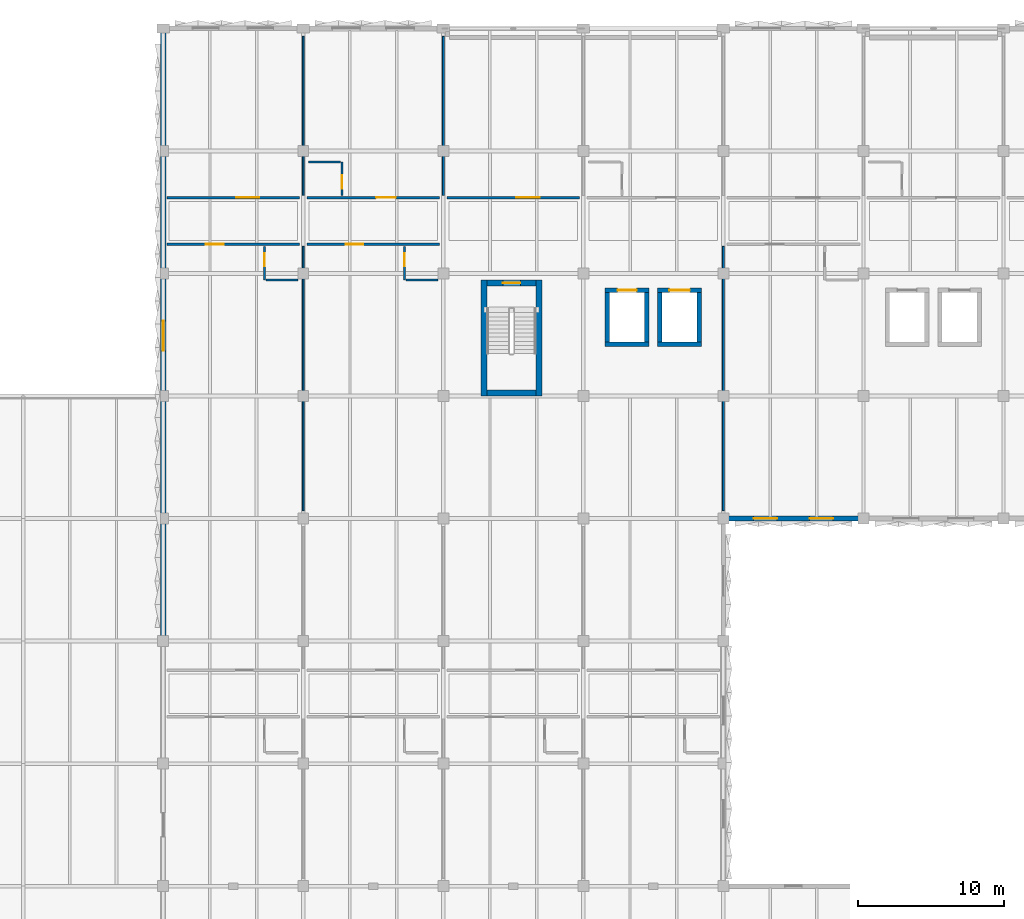
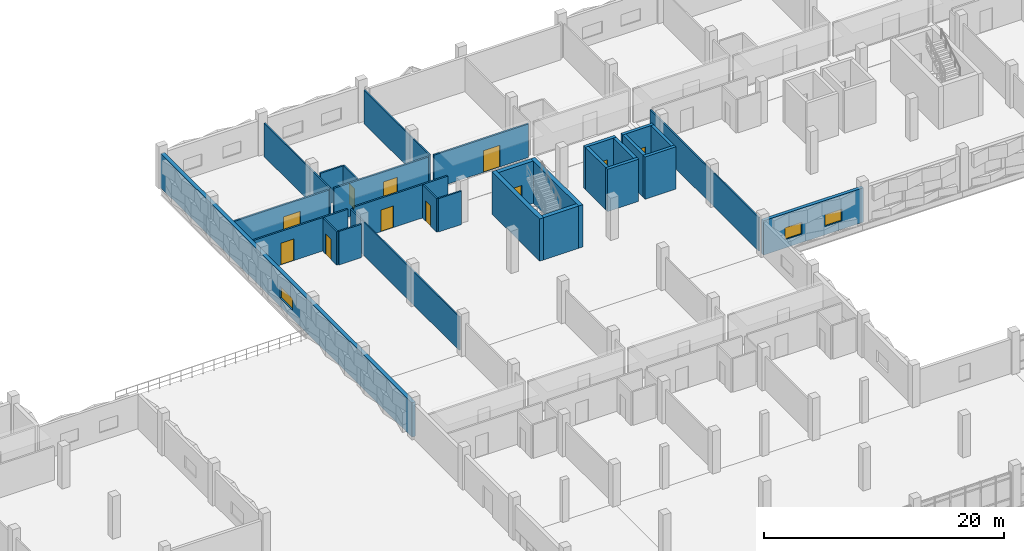
# One storey, part 64 of 86: 29 walls, 11 doors, 3 windows, 14 openings.
"""IFC4 building model written with IfcOpenShell, lengths in metres."""

from ifc_helpers import new_model, si_unit, direction, frame, frame_2d, origin, place, context, subcontext, project, spatial, rectangle, extrude, material, layer, layer_set, type_object, element, fill, save


model = new_model("IFC4")

# Units and contexts
model_context = context("Model", 3, precision=1e-05, world=origin(), true_north=direction((0.0, 1.0)))
body_context = subcontext(model_context, "Body", "Model", "MODEL_VIEW")
ifc_project = project(units=[si_unit("LENGTHUNIT", "METRE"), si_unit("AREAUNIT", "SQUARE_METRE"), si_unit("VOLUMEUNIT", "CUBIC_METRE"), si_unit("PLANEANGLEUNIT", "RADIAN"), si_unit("MASSUNIT", "GRAM", prefix="KILO")], contexts=[model_context])

# Site, building, storey
site_placement = place(None, origin())
site = spatial("IfcSite", under=ifc_project, at=site_placement, CompositionType="ELEMENT")
building_placement = place(site_placement, origin())
building = spatial("IfcBuilding", under=site, at=building_placement, Name="Oolite Switchyard Hospital", CompositionType="ELEMENT")
storey_placement = place(building_placement, frame((0.0, 0.0, 13.5)))
storey = spatial("IfcBuildingStorey", under=building, at=storey_placement, Name="L03", CompositionType="ELEMENT", Elevation=13.5)

# Wall, openings, windows
ifc_material_1 = material(Name="Precast oolitic limestone architectural concrete C40/50", Category="masonry")
ifc_layer_1 = layer(ifc_material_1, 0.320068359375)
ifc_layer_set_1 = layer_set([ifc_layer_1], Name="WAL-EXT-320")
wall_type_1 = type_object("IfcWallType", Name="WAL-EXT-320", PredefinedType="SOLIDWALL", material=ifc_layer_set_1)
wall_1_placement = place(storey_placement, frame((182.39990234375, 100.800048828125, 0.0), z_axis=(0.0, 0.0, 1.0), x_axis=(-1.0, 0.0, 0.0)))
wall_1 = element("IfcWall", 1, at=wall_1_placement, inside=storey, type_object=wall_type_1, Name="L03 Exterior Spandrel Wall 196", PredefinedType="SOLIDWALL", context=body_context, shape_type="SweptSolid", body=[
    extrude(rectangle(XDim=9.599853515625, YDim=0.320068359375, at=frame_2d((4.7998046875, 0.0))), origin(), (0.0, 0.0, 1.0), 3.489990234375),
])
opening_1_placement = place(wall_1_placement, frame((2.080078125, 0.0, 0.85009765625)))
opening_1 = element("IfcOpeningElement", 2, at=opening_1_placement, cuts=wall_1, Name="Opening WN-0093", PredefinedType="OPENING", context=body_context, shape_type="SweptSolid", body=[
    extrude(rectangle(XDim=1.60009765625, YDim=1.199951171875, at=frame_2d((0.800048828125, 0.60009765625))), frame((0.0, 0.169921875, 0.0), z_axis=(0.0, -1.0, 0.0), x_axis=(1.0, 0.0, 0.0)), (0.0, 0.0, 1.0), 0.340087890625),
])
opening_2_placement = place(wall_1_placement, frame((5.919921875, 0.0, 0.85009765625)))
opening_2 = element("IfcOpeningElement", 3, at=opening_2_placement, cuts=wall_1, Name="Opening WN-0094", PredefinedType="OPENING", context=body_context, shape_type="SweptSolid", body=[
    extrude(rectangle(XDim=1.60009765625, YDim=1.199951171875, at=frame_2d((0.800048828125, 0.60009765625))), frame((0.0, 0.169921875, 0.0), z_axis=(0.0, -1.0, 0.0), x_axis=(1.0, 0.0, 0.0)), (0.0, 0.0, 1.0), 0.340087890625),
])
ifc_material_2 = material(Name="Thermally broken aluminum frame with laminated impact glazing", Category="aluminium")
window_type_1 = type_object("IfcWindowType", Name="WIN-IMP-160X120", PartitioningType="SINGLE_PANEL", PredefinedType="WINDOW", material=ifc_material_2)
window_1_placement = place(opening_1_placement, origin())
window_1 = element("IfcWindow", 4, at=window_1_placement, inside=storey, type_object=window_type_1, Name="L03 Hurricane Impact Window WN-0093", OverallHeight=1.199951171875, OverallWidth=1.60009765625, PartitioningType="SINGLE_PANEL", PredefinedType="WINDOW", context=body_context, shape_type="SweptSolid", body=[
    extrude(rectangle(XDim=1.60009765625, YDim=1.199951171875, at=frame_2d((0.800048828125, 0.60009765625))), frame((0.0, 0.030029296875, 0.0), z_axis=(0.0, -1.0, 0.0), x_axis=(1.0, 0.0, 0.0)), (0.0, 0.0, 1.0), 0.06005859375),
])
fill(opening_1, window_1)
window_2_placement = place(opening_2_placement, origin())
window_2 = element("IfcWindow", 5, at=window_2_placement, inside=storey, type_object=window_type_1, Name="L03 Hurricane Impact Window WN-0094", OverallHeight=1.199951171875, OverallWidth=1.60009765625, PartitioningType="SINGLE_PANEL", PredefinedType="WINDOW", context=body_context, shape_type="SweptSolid", body=[
    extrude(rectangle(XDim=1.60009765625, YDim=1.199951171875, at=frame_2d((0.800048828125, 0.60009765625))), frame((0.0, 0.030029296875, 0.0), z_axis=(0.0, -1.0, 0.0), x_axis=(1.0, 0.0, 0.0)), (0.0, 0.0, 1.0), 0.06005859375),
])
fill(opening_2, window_2)

# Wall, opening, window
ifc_layer_2 = layer(ifc_material_1, 0.360107421875)
ifc_layer_set_2 = layer_set([ifc_layer_2], Name="WAL-EXT-360")
wall_type_2 = type_object("IfcWallType", Name="WAL-EXT-360", PredefinedType="SOLIDWALL", material=ifc_layer_set_2)
wall_2_placement = place(storey_placement, frame((134.39990234375, 92.39990234375, 0.0), z_axis=(0.0, 0.0, 1.0), x_axis=(0.0, 1.0, 0.0)))
wall_2 = element("IfcWall", 6, at=wall_2_placement, inside=storey, type_object=wall_type_2, Name="L03 Exterior Spandrel Wall 240", PredefinedType="SOLIDWALL", context=body_context, shape_type="SweptSolid", body=[
    extrude(rectangle(XDim=41.840087890625, YDim=0.360107421875, at=frame_2d((20.919921875, 0.0))), origin(), (0.0, 0.0, 1.0), 3.489990234375),
])
opening_3_placement = place(wall_2_placement, frame((19.89501953125, 0.0, 0.85009765625)))
opening_3 = element("IfcOpeningElement", 7, at=opening_3_placement, cuts=wall_2, Name="Opening WN-0141", PredefinedType="OPENING", context=body_context, shape_type="SweptSolid", body=[
    extrude(rectangle(XDim=2.050048828125, YDim=1.199951171875, at=frame_2d((1.02490234375, 0.60009765625))), frame((0.0, 0.18994140625, 0.0), z_axis=(0.0, -1.0, 0.0), x_axis=(1.0, 0.0, 0.0)), (0.0, 0.0, 1.0), 0.380126953125),
])
window_type_2 = type_object("IfcWindowType", Name="WIN-IMP-205X120", PartitioningType="SINGLE_PANEL", PredefinedType="WINDOW", material=ifc_material_2)
window_3_placement = place(opening_3_placement, origin())
window_3 = element("IfcWindow", 8, at=window_3_placement, inside=storey, type_object=window_type_2, Name="L03 Hurricane Impact Window WN-0141", OverallHeight=1.199951171875, OverallWidth=2.050048828125, PartitioningType="SINGLE_PANEL", PredefinedType="WINDOW", context=body_context, shape_type="SweptSolid", body=[
    extrude(rectangle(XDim=2.050048828125, YDim=1.199951171875, at=frame_2d((1.02490234375, 0.60009765625))), frame((0.0, 0.030029296875, 0.0), z_axis=(0.0, -1.0, 0.0), x_axis=(1.0, 0.0, 0.0)), (0.0, 0.0, 1.0), 0.06005859375),
])
fill(opening_3, window_3)

# Walls
ifc_material_3 = material(Name="Moisture-resistant gypsum board on steel studs", Category="steel")
ifc_layer_3 = layer(ifc_material_3, 0.135009765625)
ifc_layer_set_3 = layer_set([ifc_layer_3], Name="WAL-PART-135")
wall_type_3 = type_object("IfcWallType", Name="WAL-PART-135", PredefinedType="PARTITIONING", material=ifc_layer_set_3)
wall_3_placement = place(storey_placement, frame((144.0, 101.35009765625, 0.0), z_axis=(0.0, 0.0, 1.0), x_axis=(0.0, 1.0, 0.0)))
element("IfcWall", 9, at=wall_3_placement, inside=storey, type_object=wall_type_3, Name="L03 Interior Partition 671", PredefinedType="PARTITIONING", context=body_context, shape_type="SweptSolid", body=[
    extrude(rectangle(XDim=18.099853515625, YDim=0.135009765625, at=frame_2d((9.0498046875, 0.0))), origin(), (0.0, 0.0, 1.0), 3.39990234375),
])
for number, where, z_axis, x_axis, name in (
    (10, (144.0, 122.949951171875, 0.0), (0.0, 0.0, 1.0), (0.0, 1.0, 0.0), "L03 Interior Partition 675"),
    (11, (153.60009765625, 122.949951171875, 0.0), (0.0, 0.0, 1.0), (0.0, 1.0, 0.0), "L03 Interior Partition 677"),
):
    element("IfcWall", number, at=place(storey_placement, frame(where, z_axis=z_axis, x_axis=x_axis)), inside=storey, type_object=wall_type_3, Name=name, PredefinedType="PARTITIONING", context=body_context, shape_type="SweptSolid", body=[
        extrude(rectangle(XDim=10.900146484375, YDim=0.135009765625, at=frame_2d((5.4501953125, 0.0))), origin(), (0.0, 0.0, 1.0), 3.39990234375),
    ])
wall_4_placement = place(storey_placement, frame((172.800048828125, 101.35009765625, 0.0), z_axis=(0.0, 0.0, 1.0), x_axis=(0.0, 1.0, 0.0)))
element("IfcWall", 12, at=wall_4_placement, inside=storey, type_object=wall_type_3, Name="L03 Interior Partition 685", PredefinedType="PARTITIONING", context=body_context, shape_type="SweptSolid", body=[
    extrude(rectangle(XDim=18.099853515625, YDim=0.135009765625, at=frame_2d((9.0498046875, 0.0))), origin(), (0.0, 0.0, 1.0), 3.39990234375),
])

# Wall, opening, door
ifc_layer_4 = layer(ifc_material_3, 0.14990234375)
ifc_layer_set_4 = layer_set([ifc_layer_4], Name="WAL-PART-150")
wall_type_4 = type_object("IfcWallType", Name="WAL-PART-150", PredefinedType="PARTITIONING", material=ifc_layer_set_4)
wall_5_placement = place(storey_placement, frame((141.35009765625, 117.14990234375, 0.0), z_axis=(0.0, 0.0, 1.0), x_axis=(0.0, 1.0, 0.0)))
wall_5 = element("IfcWall", 13, at=wall_5_placement, inside=storey, type_object=wall_type_4, Name="L03 Interior Partition 665", PredefinedType="PARTITIONING", context=body_context, shape_type="SweptSolid", body=[
    extrude(rectangle(XDim=2.300048828125, YDim=0.14990234375, at=frame_2d((1.14990234375, 0.0))), origin(), (0.0, 0.0, 1.0), 3.39990234375),
])
opening_4_placement = place(wall_5_placement, frame((0.949951171875, 0.0, 0.0)))
opening_4 = element("IfcOpeningElement", 14, at=opening_4_placement, cuts=wall_5, Name="Opening D-0372", PredefinedType="OPENING", context=body_context, shape_type="SweptSolid", body=[
    extrude(rectangle(XDim=0.89990234375, YDim=2.10009765625, at=frame_2d((0.449951171875, 1.050048828125))), frame((0.0, 0.0849609375, 0.0), z_axis=(0.0, -1.0, 0.0), x_axis=(1.0, 0.0, 0.0)), (0.0, 0.0, 1.0), 0.169921875),
])
ifc_material_4 = material(Name="Solid-core antimicrobial hardwood leaf in steel frame", Category="steel")
door_type_1 = type_object("IfcDoorType", Name="DR-BATH-090X210", OperationType="NOTDEFINED", PredefinedType="DOOR", material=ifc_material_4)
door_1_placement = place(opening_4_placement, origin())
door_1 = element("IfcDoor", 15, at=door_1_placement, inside=storey, type_object=door_type_1, Name="L03 Interior Door D-0372", OperationType="SINGLE_SWING_RIGHT", OverallHeight=2.10009765625, OverallWidth=0.89990234375, PredefinedType="DOOR", context=body_context, shape_type="SweptSolid", body=[
    extrude(rectangle(XDim=0.89990234375, YDim=2.10009765625, at=frame_2d((0.449951171875, 1.050048828125))), frame((0.0, 0.02490234375, 0.0), z_axis=(0.0, -1.0, 0.0), x_axis=(1.0, 0.0, 0.0)), (0.0, 0.0, 1.0), 0.050048828125),
])
fill(opening_4, door_1)

# Wall
wall_6_placement = place(storey_placement, frame((141.449951171875, 117.14990234375, 0.0), z_axis=(0.0, 0.0, 1.0), x_axis=(1.0, 0.0, 0.0)))
element("IfcWall", 16, at=wall_6_placement, inside=storey, type_object=wall_type_4, Name="L03 Interior Partition 666", PredefinedType="PARTITIONING", context=body_context, shape_type="SweptSolid", body=[
    extrude(rectangle(XDim=2.199951171875, YDim=0.14990234375, at=frame_2d((1.10009765625, 0.0))), origin(), (0.0, 0.0, 1.0), 3.39990234375),
])

# Wall, opening, door
wall_7_placement = place(storey_placement, frame((150.949951171875, 117.14990234375, 0.0), z_axis=(0.0, 0.0, 1.0), x_axis=(0.0, 1.0, 0.0)))
wall_7 = element("IfcWall", 17, at=wall_7_placement, inside=storey, type_object=wall_type_4, Name="L03 Interior Partition 669", PredefinedType="PARTITIONING", context=body_context, shape_type="SweptSolid", body=[
    extrude(rectangle(XDim=2.300048828125, YDim=0.14990234375, at=frame_2d((1.14990234375, 0.0))), origin(), (0.0, 0.0, 1.0), 3.39990234375),
])
opening_5_placement = place(wall_7_placement, frame((0.949951171875, 0.0, 0.0)))
opening_5 = element("IfcOpeningElement", 18, at=opening_5_placement, cuts=wall_7, Name="Opening D-0375", PredefinedType="OPENING", context=body_context, shape_type="SweptSolid", body=[
    extrude(rectangle(XDim=0.89990234375, YDim=2.10009765625, at=frame_2d((0.449951171875, 1.050048828125))), frame((0.0, 0.0849609375, 0.0), z_axis=(0.0, -1.0, 0.0), x_axis=(1.0, 0.0, 0.0)), (0.0, 0.0, 1.0), 0.169921875),
])
door_2_placement = place(opening_5_placement, origin())
door_2 = element("IfcDoor", 19, at=door_2_placement, inside=storey, type_object=door_type_1, Name="L03 Interior Door D-0375", OperationType="SINGLE_SWING_LEFT", OverallHeight=2.10009765625, OverallWidth=0.89990234375, PredefinedType="DOOR", context=body_context, shape_type="SweptSolid", body=[
    extrude(rectangle(XDim=0.89990234375, YDim=2.10009765625, at=frame_2d((0.449951171875, 1.050048828125))), frame((0.0, 0.02490234375, 0.0), z_axis=(0.0, -1.0, 0.0), x_axis=(1.0, 0.0, 0.0)), (0.0, 0.0, 1.0), 0.050048828125),
])
fill(opening_5, door_2)

# Wall
wall_8_placement = place(storey_placement, frame((151.050048828125, 117.14990234375, 0.0), z_axis=(0.0, 0.0, 1.0), x_axis=(1.0, 0.0, 0.0)))
element("IfcWall", 20, at=wall_8_placement, inside=storey, type_object=wall_type_4, Name="L03 Interior Partition 670", PredefinedType="PARTITIONING", context=body_context, shape_type="SweptSolid", body=[
    extrude(rectangle(XDim=2.199951171875, YDim=0.14990234375, at=frame_2d((1.10009765625, 0.0))), origin(), (0.0, 0.0, 1.0), 3.39990234375),
])

# Wall, opening, door
wall_9_placement = place(storey_placement, frame((146.64990234375, 122.949951171875, 0.0), z_axis=(0.0, 0.0, 1.0), x_axis=(0.0, 1.0, 0.0)))
wall_9 = element("IfcWall", 21, at=wall_9_placement, inside=storey, type_object=wall_type_4, Name="L03 Interior Partition 673", PredefinedType="PARTITIONING", context=body_context, shape_type="SweptSolid", body=[
    extrude(rectangle(XDim=2.300048828125, YDim=0.14990234375, at=frame_2d((1.14990234375, 0.0))), origin(), (0.0, 0.0, 1.0), 3.39990234375),
])
opening_6_placement = place(wall_9_placement, frame((0.449951171875, 0.0, 0.0)))
opening_6 = element("IfcOpeningElement", 22, at=opening_6_placement, cuts=wall_9, Name="Opening D-0377", PredefinedType="OPENING", context=body_context, shape_type="SweptSolid", body=[
    extrude(rectangle(XDim=0.949951171875, YDim=2.10009765625, at=frame_2d((0.47509765625, 1.050048828125))), frame((0.0, 0.0849609375, 0.0), z_axis=(0.0, -1.0, 0.0), x_axis=(1.0, 0.0, 0.0)), (0.0, 0.0, 1.0), 0.169921875),
])
door_type_2 = type_object("IfcDoorType", Name="DR-BATH-095X210", OperationType="NOTDEFINED", PredefinedType="DOOR", material=ifc_material_4)
door_3_placement = place(opening_6_placement, origin())
door_3 = element("IfcDoor", 23, at=door_3_placement, inside=storey, type_object=door_type_2, Name="L03 Interior Door D-0377", OperationType="SINGLE_SWING_RIGHT", OverallHeight=2.10009765625, OverallWidth=0.949951171875, PredefinedType="DOOR", context=body_context, shape_type="SweptSolid", body=[
    extrude(rectangle(XDim=0.949951171875, YDim=2.10009765625, at=frame_2d((0.47509765625, 1.050048828125))), frame((0.0, 0.02490234375, 0.0), z_axis=(0.0, -1.0, 0.0), x_axis=(1.0, 0.0, 0.0)), (0.0, 0.0, 1.0), 0.050048828125),
])
fill(opening_6, door_3)

# Wall
wall_10_placement = place(storey_placement, frame((144.35009765625, 125.25, 0.0), z_axis=(0.0, 0.0, 1.0), x_axis=(1.0, 0.0, 0.0)))
element("IfcWall", 24, at=wall_10_placement, inside=storey, type_object=wall_type_4, Name="L03 Interior Partition 674", PredefinedType="PARTITIONING", context=body_context, shape_type="SweptSolid", body=[
    extrude(rectangle(XDim=2.199951171875, YDim=0.14990234375, at=frame_2d((1.10009765625, 0.0))), origin(), (0.0, 0.0, 1.0), 3.39990234375),
])

# Wall, opening, door
ifc_layer_5 = layer(ifc_material_3, 0.1650390625)
ifc_layer_set_5 = layer_set([ifc_layer_5], Name="WAL-PART-165")
wall_type_5 = type_object("IfcWallType", Name="WAL-PART-165", PredefinedType="PARTITIONING", material=ifc_layer_set_5)
wall_11_placement = place(storey_placement, frame((134.64990234375, 119.60009765625, 0.0), z_axis=(0.0, 0.0, 1.0), x_axis=(1.0, 0.0, 0.0)))
wall_11 = element("IfcWall", 25, at=wall_11_placement, inside=storey, type_object=wall_type_5, Name="L03 Interior Partition 664", PredefinedType="PARTITIONING", context=body_context, shape_type="SweptSolid", body=[
    extrude(rectangle(XDim=9.10009765625, YDim=0.1650390625, at=frame_2d((4.550048828125, 0.0))), origin(), (0.0, 0.0, 1.0), 3.39990234375),
])
opening_7_placement = place(wall_11_placement, frame((2.64990234375, 0.0, 0.0)))
opening_7 = element("IfcOpeningElement", 26, at=opening_7_placement, cuts=wall_11, Name="Opening D-0371", PredefinedType="OPENING", context=body_context, shape_type="SweptSolid", body=[
    extrude(rectangle(XDim=1.25, YDim=2.199951171875, at=frame_2d((0.625, 1.10009765625))), frame((0.0, 0.092529296875, 0.0), z_axis=(0.0, -1.0, 0.0), x_axis=(1.0, 0.0, 0.0)), (0.0, 0.0, 1.0), 0.18505859375),
])
door_type_3 = type_object("IfcDoorType", Name="DR-WARD-125X220", OperationType="NOTDEFINED", PredefinedType="DOOR", material=ifc_material_4)
door_4_placement = place(opening_7_placement, origin())
door_4 = element("IfcDoor", 27, at=door_4_placement, inside=storey, type_object=door_type_3, Name="L03 Interior Door D-0371", OperationType="SINGLE_SWING_LEFT", OverallHeight=2.199951171875, OverallWidth=1.25, PredefinedType="DOOR", context=body_context, shape_type="SweptSolid", body=[
    extrude(rectangle(XDim=1.25, YDim=2.199951171875, at=frame_2d((0.625, 1.10009765625))), frame((0.0, 0.02490234375, 0.0), z_axis=(0.0, -1.0, 0.0), x_axis=(1.0, 0.0, 0.0)), (0.0, 0.0, 1.0), 0.050048828125),
])
fill(opening_7, door_4)

wall_12_placement = place(storey_placement, frame((134.64990234375, 122.800048828125, 0.0), z_axis=(0.0, 0.0, 1.0), x_axis=(1.0, 0.0, 0.0)))
wall_12 = element("IfcWall", 28, at=wall_12_placement, inside=storey, type_object=wall_type_5, Name="L03 Interior Partition 667", PredefinedType="PARTITIONING", context=body_context, shape_type="SweptSolid", body=[
    extrude(rectangle(XDim=9.10009765625, YDim=0.1650390625, at=frame_2d((4.550048828125, 0.0))), origin(), (0.0, 0.0, 1.0), 3.39990234375),
])
opening_8_placement = place(wall_12_placement, frame((4.75, 0.0, 0.0)))
opening_8 = element("IfcOpeningElement", 29, at=opening_8_placement, cuts=wall_12, Name="Opening D-0373", PredefinedType="OPENING", context=body_context, shape_type="SweptSolid", body=[
    extrude(rectangle(XDim=1.60009765625, YDim=2.199951171875, at=frame_2d((0.800048828125, 1.10009765625))), frame((0.0, 0.092529296875, 0.0), z_axis=(0.0, -1.0, 0.0), x_axis=(1.0, 0.0, 0.0)), (0.0, 0.0, 1.0), 0.18505859375),
])
ifc_material_5 = material(Name="Hollow metal fire-rated steel door assembly", Category="steel")
door_type_4 = type_object("IfcDoorType", Name="DR-DBL-160X220", OperationType="NOTDEFINED", PredefinedType="DOOR", material=ifc_material_5)
door_5_placement = place(opening_8_placement, origin())
door_5 = element("IfcDoor", 30, at=door_5_placement, inside=storey, type_object=door_type_4, Name="L03 Interior Door D-0373", OperationType="DOUBLE_DOOR_SINGLE_SWING", OverallHeight=2.199951171875, OverallWidth=1.60009765625, PredefinedType="DOOR", context=body_context, shape_type="SweptSolid", body=[
    extrude(rectangle(XDim=1.60009765625, YDim=2.199951171875, at=frame_2d((0.800048828125, 1.10009765625))), frame((0.0, 0.02490234375, 0.0), z_axis=(0.0, -1.0, 0.0), x_axis=(1.0, 0.0, 0.0)), (0.0, 0.0, 1.0), 0.050048828125),
])
fill(opening_8, door_5)

wall_13_placement = place(storey_placement, frame((144.25, 119.60009765625, 0.0), z_axis=(0.0, 0.0, 1.0), x_axis=(1.0, 0.0, 0.0)))
wall_13 = element("IfcWall", 31, at=wall_13_placement, inside=storey, type_object=wall_type_5, Name="L03 Interior Partition 668", PredefinedType="PARTITIONING", context=body_context, shape_type="SweptSolid", body=[
    extrude(rectangle(XDim=9.10009765625, YDim=0.1650390625, at=frame_2d((4.550048828125, 0.0))), origin(), (0.0, 0.0, 1.0), 3.39990234375),
])
opening_9_placement = place(wall_13_placement, frame((2.64990234375, 0.0, 0.0)))
opening_9 = element("IfcOpeningElement", 32, at=opening_9_placement, cuts=wall_13, Name="Opening D-0374", PredefinedType="OPENING", context=body_context, shape_type="SweptSolid", body=[
    extrude(rectangle(XDim=1.199951171875, YDim=2.199951171875, at=frame_2d((0.60009765625, 1.10009765625))), frame((0.0, 0.092529296875, 0.0), z_axis=(0.0, -1.0, 0.0), x_axis=(1.0, 0.0, 0.0)), (0.0, 0.0, 1.0), 0.18505859375),
])
door_type_5 = type_object("IfcDoorType", Name="DR-WARD-120X220", OperationType="NOTDEFINED", PredefinedType="DOOR", material=ifc_material_4)
door_6_placement = place(opening_9_placement, origin())
door_6 = element("IfcDoor", 33, at=door_6_placement, inside=storey, type_object=door_type_5, Name="L03 Interior Door D-0374", OperationType="SINGLE_SWING_RIGHT", OverallHeight=2.199951171875, OverallWidth=1.199951171875, PredefinedType="DOOR", context=body_context, shape_type="SweptSolid", body=[
    extrude(rectangle(XDim=1.199951171875, YDim=2.199951171875, at=frame_2d((0.60009765625, 1.10009765625))), frame((0.0, 0.02490234375, 0.0), z_axis=(0.0, -1.0, 0.0), x_axis=(1.0, 0.0, 0.0)), (0.0, 0.0, 1.0), 0.050048828125),
])
fill(opening_9, door_6)

wall_14_placement = place(storey_placement, frame((144.25, 122.800048828125, 0.0), z_axis=(0.0, 0.0, 1.0), x_axis=(1.0, 0.0, 0.0)))
wall_14 = element("IfcWall", 34, at=wall_14_placement, inside=storey, type_object=wall_type_5, Name="L03 Interior Partition 672", PredefinedType="PARTITIONING", context=body_context, shape_type="SweptSolid", body=[
    extrude(rectangle(XDim=9.10009765625, YDim=0.1650390625, at=frame_2d((4.550048828125, 0.0))), origin(), (0.0, 0.0, 1.0), 3.39990234375),
])
opening_10_placement = place(wall_14_placement, frame((4.75, 0.0, 0.0)))
opening_10 = element("IfcOpeningElement", 35, at=opening_10_placement, cuts=wall_14, Name="Opening D-0376", PredefinedType="OPENING", context=body_context, shape_type="SweptSolid", body=[
    extrude(rectangle(XDim=1.35009765625, YDim=2.39990234375, at=frame_2d((0.675048828125, 1.199951171875))), frame((0.0, 0.092529296875, 0.0), z_axis=(0.0, -1.0, 0.0), x_axis=(1.0, 0.0, 0.0)), (0.0, 0.0, 1.0), 0.18505859375),
])
door_type_6 = type_object("IfcDoorType", Name="DR-ICU-135X240", OperationType="NOTDEFINED", PredefinedType="DOOR", material=ifc_material_4)
door_7_placement = place(opening_10_placement, origin())
door_7 = element("IfcDoor", 36, at=door_7_placement, inside=storey, type_object=door_type_6, Name="L03 Interior Door D-0376", OperationType="SINGLE_SWING_LEFT", OverallHeight=2.39990234375, OverallWidth=1.35009765625, PredefinedType="DOOR", context=body_context, shape_type="SweptSolid", body=[
    extrude(rectangle(XDim=1.35009765625, YDim=2.39990234375, at=frame_2d((0.675048828125, 1.199951171875))), frame((0.0, 0.02490234375, 0.0), z_axis=(0.0, -1.0, 0.0), x_axis=(1.0, 0.0, 0.0)), (0.0, 0.0, 1.0), 0.050048828125),
])
fill(opening_10, door_7)

wall_15_placement = place(storey_placement, frame((153.85009765625, 122.800048828125, 0.0), z_axis=(0.0, 0.0, 1.0), x_axis=(1.0, 0.0, 0.0)))
wall_15 = element("IfcWall", 37, at=wall_15_placement, inside=storey, type_object=wall_type_5, Name="L03 Interior Partition 676", PredefinedType="PARTITIONING", context=body_context, shape_type="SweptSolid", body=[
    extrude(rectangle(XDim=9.099853515625, YDim=0.1650390625, at=frame_2d((4.5498046875, 0.0))), origin(), (0.0, 0.0, 1.0), 3.39990234375),
])
opening_11_placement = place(wall_15_placement, frame((4.75, 0.0, 0.0)))
opening_11 = element("IfcOpeningElement", 38, at=opening_11_placement, cuts=wall_15, Name="Opening D-0378", PredefinedType="OPENING", context=body_context, shape_type="SweptSolid", body=[
    extrude(rectangle(XDim=1.60009765625, YDim=2.199951171875, at=frame_2d((0.800048828125, 1.10009765625))), frame((0.0, 0.092529296875, 0.0), z_axis=(0.0, -1.0, 0.0), x_axis=(1.0, 0.0, 0.0)), (0.0, 0.0, 1.0), 0.18505859375),
])
door_8_placement = place(opening_11_placement, origin())
door_8 = element("IfcDoor", 39, at=door_8_placement, inside=storey, type_object=door_type_4, Name="L03 Interior Door D-0378", OperationType="DOUBLE_DOOR_SINGLE_SWING", OverallHeight=2.199951171875, OverallWidth=1.60009765625, PredefinedType="DOOR", context=body_context, shape_type="SweptSolid", body=[
    extrude(rectangle(XDim=1.60009765625, YDim=2.199951171875, at=frame_2d((0.800048828125, 1.10009765625))), frame((0.0, 0.02490234375, 0.0), z_axis=(0.0, -1.0, 0.0), x_axis=(1.0, 0.0, 0.0)), (0.0, 0.0, 1.0), 0.050048828125),
])
fill(opening_11, door_8)

# Walls
ifc_material_6 = material(Name="Concrete C50/60", Category="concrete")
ifc_layer_6 = layer(ifc_material_6, 0.300048828125)
ifc_layer_set_6 = layer_set([ifc_layer_6], Name="WAL-SHR-300")
wall_type_6 = type_object("IfcWallType", Name="WAL-SHR-300", PredefinedType="SHEAR", material=ifc_layer_set_6)
wall_16_placement = place(storey_placement, frame((164.699951171875, 112.75, 0.0), z_axis=(0.0, 0.0, 1.0), x_axis=(1.0, 0.0, 0.0)))
element("IfcWall", 40, at=wall_16_placement, inside=storey, type_object=wall_type_6, Name="L03 Lift Shaft Shear Wall EL-01", PredefinedType="SHEAR", context=body_context, shape_type="SweptSolid", body=[
    extrude(rectangle(XDim=3.0, YDim=0.300048828125, at=frame_2d((1.5, 0.0))), origin(), (0.0, 0.0, 1.0), 4.300048828125),
])
wall_17_placement = place(storey_placement, frame((167.550048828125, 112.89990234375, 0.0), z_axis=(0.0, 0.0, 1.0), x_axis=(0.0, 1.0, 0.0)))
element("IfcWall", 41, at=wall_17_placement, inside=storey, type_object=wall_type_6, Name="L03 Lift Shaft Shear Wall EL-01", PredefinedType="SHEAR", context=body_context, shape_type="SweptSolid", body=[
    extrude(rectangle(XDim=3.400146484375, YDim=0.300048828125, at=frame_2d((1.7001953125, 0.0))), origin(), (0.0, 0.0, 1.0), 4.300048828125),
])

# Wall, opening, door
wall_18_placement = place(storey_placement, frame((167.699951171875, 116.449951171875, 0.0), z_axis=(0.0, 0.0, 1.0), x_axis=(-1.0, 0.0, 0.0)))
wall_18 = element("IfcWall", 42, at=wall_18_placement, inside=storey, type_object=wall_type_6, Name="L03 Lift Shaft Shear Wall EL-01", PredefinedType="SHEAR", context=body_context, shape_type="SweptSolid", body=[
    extrude(rectangle(XDim=3.0, YDim=0.300048828125, at=frame_2d((1.5, 0.0))), origin(), (0.0, 0.0, 1.0), 4.300048828125),
])
opening_12_placement = place(wall_18_placement, frame((0.85009765625, 0.0, 0.0)))
opening_12 = element("IfcOpeningElement", 43, at=opening_12_placement, cuts=wall_18, Name="Opening LD-004", PredefinedType="OPENING", context=body_context, shape_type="SweptSolid", body=[
    extrude(rectangle(XDim=1.300048828125, YDim=2.300048828125, at=frame_2d((0.64990234375, 1.14990234375))), frame((0.0, 0.16015625, 0.0), z_axis=(0.0, -1.0, 0.0), x_axis=(1.0, 0.0, 0.0)), (0.0, 0.0, 1.0), 0.320068359375),
])
ifc_material_7 = material(Name="Brushed stainless steel fire-rated sliding landing door", Category="steel")
door_type_7 = type_object("IfcDoorType", Name="DR-LD-130X230", OperationType="NOTDEFINED", PredefinedType="DOOR", material=ifc_material_7)
door_9_placement = place(opening_12_placement, origin())
door_9 = element("IfcDoor", 44, at=door_9_placement, inside=storey, type_object=door_type_7, Name="L03 EL-01 Lift Landing Door LD-004", OperationType="SLIDING_TO_RIGHT", OverallHeight=2.300048828125, OverallWidth=1.300048828125, PredefinedType="DOOR", context=body_context, shape_type="SweptSolid", body=[
    extrude(rectangle(XDim=1.300048828125, YDim=2.300048828125, at=frame_2d((0.64990234375, 1.14990234375))), frame((0.0, 0.02490234375, 0.0), z_axis=(0.0, -1.0, 0.0), x_axis=(1.0, 0.0, 0.0)), (0.0, 0.0, 1.0), 0.050048828125),
])
fill(opening_12, door_9)

# Walls
wall_19_placement = place(storey_placement, frame((164.85009765625, 116.300048828125, 0.0), z_axis=(0.0, 0.0, 1.0), x_axis=(0.0, -1.0, 0.0)))
element("IfcWall", 45, at=wall_19_placement, inside=storey, type_object=wall_type_6, Name="L03 Lift Shaft Shear Wall EL-01", PredefinedType="SHEAR", context=body_context, shape_type="SweptSolid", body=[
    extrude(rectangle(XDim=3.400146484375, YDim=0.300048828125, at=frame_2d((1.7001953125, 0.0))), origin(), (0.0, 0.0, 1.0), 4.300048828125),
])
wall_20_placement = place(storey_placement, frame((168.300048828125, 112.75, 0.0), z_axis=(0.0, 0.0, 1.0), x_axis=(1.0, 0.0, 0.0)))
element("IfcWall", 46, at=wall_20_placement, inside=storey, type_object=wall_type_6, Name="L03 Lift Shaft Shear Wall EL-02", PredefinedType="SHEAR", context=body_context, shape_type="SweptSolid", body=[
    extrude(rectangle(XDim=3.0, YDim=0.300048828125, at=frame_2d((1.5, 0.0))), origin(), (0.0, 0.0, 1.0), 4.300048828125),
])
wall_21_placement = place(storey_placement, frame((171.14990234375, 112.89990234375, 0.0), z_axis=(0.0, 0.0, 1.0), x_axis=(0.0, 1.0, 0.0)))
element("IfcWall", 47, at=wall_21_placement, inside=storey, type_object=wall_type_6, Name="L03 Lift Shaft Shear Wall EL-02", PredefinedType="SHEAR", context=body_context, shape_type="SweptSolid", body=[
    extrude(rectangle(XDim=3.400146484375, YDim=0.300048828125, at=frame_2d((1.7001953125, 0.0))), origin(), (0.0, 0.0, 1.0), 4.300048828125),
])

# Wall, opening, door
wall_22_placement = place(storey_placement, frame((171.300048828125, 116.449951171875, 0.0), z_axis=(0.0, 0.0, 1.0), x_axis=(-1.0, 0.0, 0.0)))
wall_22 = element("IfcWall", 48, at=wall_22_placement, inside=storey, type_object=wall_type_6, Name="L03 Lift Shaft Shear Wall EL-02", PredefinedType="SHEAR", context=body_context, shape_type="SweptSolid", body=[
    extrude(rectangle(XDim=3.0, YDim=0.300048828125, at=frame_2d((1.5, 0.0))), origin(), (0.0, 0.0, 1.0), 4.300048828125),
])
opening_13_placement = place(wall_22_placement, frame((0.800048828125, 0.0, 0.0)))
opening_13 = element("IfcOpeningElement", 49, at=opening_13_placement, cuts=wall_22, Name="Opening LD-013", PredefinedType="OPENING", context=body_context, shape_type="SweptSolid", body=[
    extrude(rectangle(XDim=1.39990234375, YDim=2.300048828125, at=frame_2d((0.699951171875, 1.14990234375))), frame((0.0, 0.16015625, 0.0), z_axis=(0.0, -1.0, 0.0), x_axis=(1.0, 0.0, 0.0)), (0.0, 0.0, 1.0), 0.320068359375),
])
door_type_8 = type_object("IfcDoorType", Name="DR-LD-140X230", OperationType="NOTDEFINED", PredefinedType="DOOR", material=ifc_material_7)
door_10_placement = place(opening_13_placement, origin())
door_10 = element("IfcDoor", 50, at=door_10_placement, inside=storey, type_object=door_type_8, Name="L03 EL-02 Lift Landing Door LD-013", OperationType="SLIDING_TO_LEFT", OverallHeight=2.300048828125, OverallWidth=1.39990234375, PredefinedType="DOOR", context=body_context, shape_type="SweptSolid", body=[
    extrude(rectangle(XDim=1.39990234375, YDim=2.300048828125, at=frame_2d((0.699951171875, 1.14990234375))), frame((0.0, 0.02490234375, 0.0), z_axis=(0.0, -1.0, 0.0), x_axis=(1.0, 0.0, 0.0)), (0.0, 0.0, 1.0), 0.050048828125),
])
fill(opening_13, door_10)

# Walls
wall_23_placement = place(storey_placement, frame((168.449951171875, 116.300048828125, 0.0), z_axis=(0.0, 0.0, 1.0), x_axis=(0.0, -1.0, 0.0)))
element("IfcWall", 51, at=wall_23_placement, inside=storey, type_object=wall_type_6, Name="L03 Lift Shaft Shear Wall EL-02", PredefinedType="SHEAR", context=body_context, shape_type="SweptSolid", body=[
    extrude(rectangle(XDim=3.400146484375, YDim=0.300048828125, at=frame_2d((1.7001953125, 0.0))), origin(), (0.0, 0.0, 1.0), 4.300048828125),
])
ifc_layer_7 = layer(ifc_material_6, 0.39990234375)
ifc_layer_set_7 = layer_set([ifc_layer_7], Name="WAL-SHR-400")
wall_type_7 = type_object("IfcWallType", Name="WAL-SHR-400", PredefinedType="SHEAR", material=ifc_layer_set_7)
wall_24_placement = place(storey_placement, frame((156.39990234375, 117.14990234375, 0.0), z_axis=(0.0, 0.0, 1.0), x_axis=(0.0, -1.0, 0.0)))
element("IfcWall", 52, at=wall_24_placement, inside=storey, type_object=wall_type_7, Name="L03 Core Shear Wall ST-03", PredefinedType="SHEAR", context=body_context, shape_type="SweptSolid", body=[
    extrude(rectangle(XDim=7.949951171875, YDim=0.39990234375, at=frame_2d((3.97509765625, 0.0))), origin(), (0.0, 0.0, 1.0), 4.300048828125),
])
wall_25_placement = place(storey_placement, frame((156.60009765625, 109.39990234375, 0.0), z_axis=(0.0, 0.0, 1.0), x_axis=(1.0, 0.0, 0.0)))
element("IfcWall", 53, at=wall_25_placement, inside=storey, type_object=wall_type_7, Name="L03 Core Shear Wall ST-03", PredefinedType="SHEAR", context=body_context, shape_type="SweptSolid", body=[
    extrude(rectangle(XDim=3.35986328125, YDim=0.39990234375, at=frame_2d((1.679931640625, 0.0))), origin(), (0.0, 0.0, 1.0), 4.300048828125),
])
wall_26_placement = place(storey_placement, frame((160.159912109375, 109.199951171875, 0.0), z_axis=(0.0, 0.0, 1.0), x_axis=(0.0, 1.0, 0.0)))
element("IfcWall", 54, at=wall_26_placement, inside=storey, type_object=wall_type_7, Name="L03 Core Shear Wall ST-03", PredefinedType="SHEAR", context=body_context, shape_type="SweptSolid", body=[
    extrude(rectangle(XDim=7.949951171875, YDim=0.39990234375, at=frame_2d((3.97509765625, 0.0))), origin(), (0.0, 0.0, 1.0), 4.300048828125),
])

# Wall, opening, door
wall_27_placement = place(storey_placement, frame((159.9599609375, 116.949951171875, 0.0), z_axis=(0.0, 0.0, 1.0), x_axis=(-1.0, 0.0, 0.0)))
wall_27 = element("IfcWall", 55, at=wall_27_placement, inside=storey, type_object=wall_type_7, Name="L03 Core Shear Wall ST-03", PredefinedType="SHEAR", context=body_context, shape_type="SweptSolid", body=[
    extrude(rectangle(XDim=3.35986328125, YDim=0.39990234375, at=frame_2d((1.679931640625, 0.0))), origin(), (0.0, 0.0, 1.0), 4.300048828125),
])
opening_14_placement = place(wall_27_placement, frame((1.080078125, 0.0, 0.0)))
opening_14 = element("IfcOpeningElement", 56, at=opening_14_placement, cuts=wall_27, Name="Opening SD-018", PredefinedType="OPENING", context=body_context, shape_type="SweptSolid", body=[
    extrude(rectangle(XDim=1.199951171875, YDim=2.199951171875, at=frame_2d((0.60009765625, 1.10009765625))), frame((0.0, 0.2099609375, 0.0), z_axis=(0.0, -1.0, 0.0), x_axis=(1.0, 0.0, 0.0)), (0.0, 0.0, 1.0), 0.419921875),
])
door_type_9 = type_object("IfcDoorType", Name="DR-STR-120X220", OperationType="NOTDEFINED", PredefinedType="DOOR", material=ifc_material_5)
door_11_placement = place(opening_14_placement, origin())
door_11 = element("IfcDoor", 57, at=door_11_placement, inside=storey, type_object=door_type_9, Name="L03 ST-03 Exit Stair Door SD-018", OperationType="SINGLE_SWING_RIGHT", OverallHeight=2.199951171875, OverallWidth=1.199951171875, PredefinedType="DOOR", context=body_context, shape_type="SweptSolid", body=[
    extrude(rectangle(XDim=1.199951171875, YDim=2.199951171875, at=frame_2d((0.60009765625, 1.10009765625))), frame((0.0, 0.02490234375, 0.0), z_axis=(0.0, -1.0, 0.0), x_axis=(1.0, 0.0, 0.0)), (0.0, 0.0, 1.0), 0.050048828125),
])
fill(opening_14, door_11)

save(model, "model.ifc")
